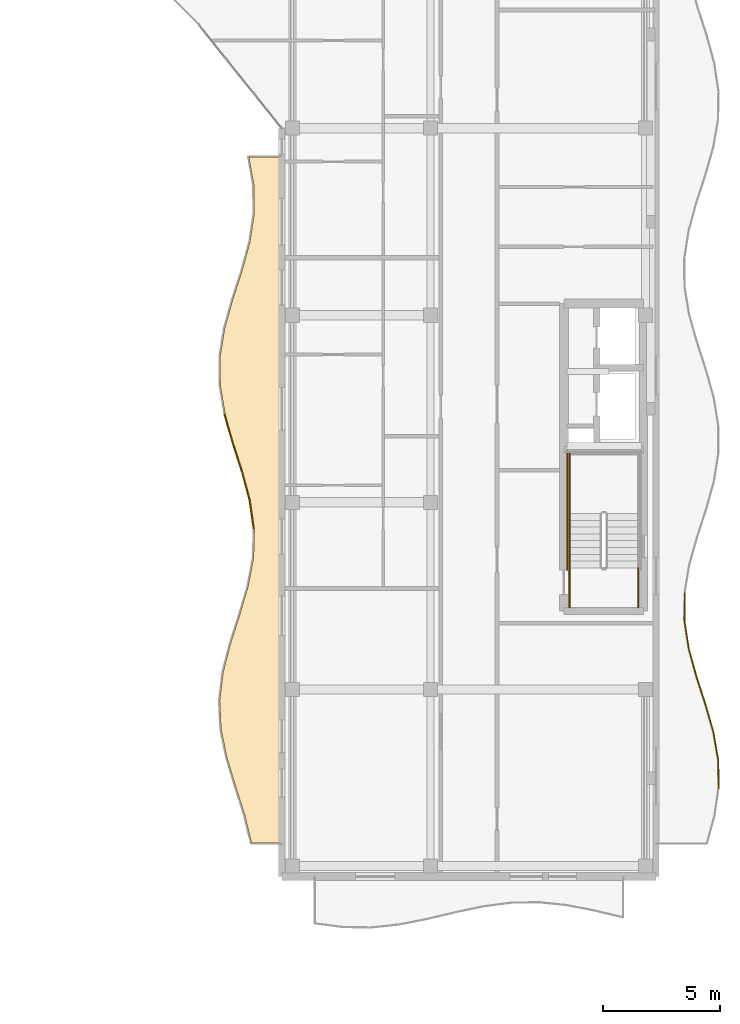
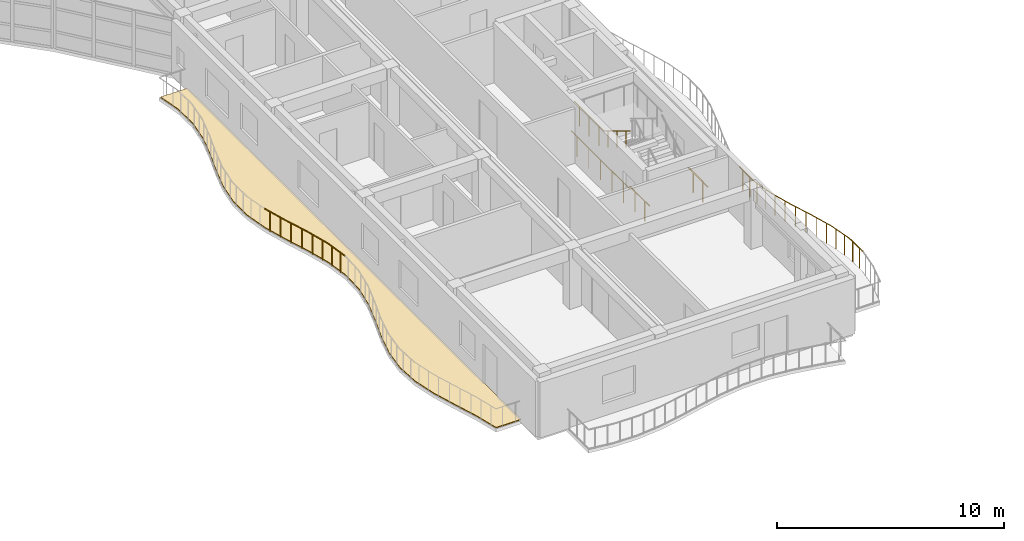
# One storey, part 74 of 79: 16 railings, 1 covering.
"""IFC4 building model written with IfcOpenShell, lengths in metres."""

from ifc_helpers import new_model, si_unit, direction, frame, origin, origin_2d, place, context, subcontext, project, spatial, polyline, circle, outline, extrude, material, layer, layer_set, type_object, element, save


model = new_model("IFC4")

# Units and contexts
model_context = context("Model", 3, precision=1e-05, world=origin(), true_north=direction((0.0, 1.0)))
body_context = subcontext(model_context, "Body", "Model", "MODEL_VIEW")
ifc_project = project(units=[si_unit("LENGTHUNIT", "METRE"), si_unit("AREAUNIT", "SQUARE_METRE"), si_unit("VOLUMEUNIT", "CUBIC_METRE"), si_unit("PLANEANGLEUNIT", "RADIAN"), si_unit("MASSUNIT", "GRAM", prefix="KILO")], contexts=[model_context])

# Site, building, storey
site_placement = place(None, origin())
site = spatial("IfcSite", under=ifc_project, at=site_placement, CompositionType="ELEMENT")
building_placement = place(site_placement, origin())
building = spatial("IfcBuilding", under=site, at=building_placement, Name="Keldmere Railside Commons", CompositionType="ELEMENT")
storey_placement = place(building_placement, frame((0.0, 0.0, 10.56005859375)))
storey = spatial("IfcBuildingStorey", under=building, at=storey_placement, Name="L03", CompositionType="ELEMENT", Elevation=10.56005859375)

# Railings
ifc_material_1 = material(Name="Steel F-24 (S235)", Category="steel")
railing_type_1 = type_object("IfcRailingType", Name="Balcony & Terrace Steel Balustrade 1100", PredefinedType="BALUSTRADE", material=ifc_material_1)
railing_1_placement = place(storey_placement, frame((166.787353515625, 70.875, 0.0)))
element("IfcRailing", 1, at=railing_1_placement, inside=storey, type_object=railing_type_1, Name="GR-1 GRD-L03-3465", PredefinedType="BALUSTRADE", context=body_context, shape_type="SweptSolid", body=[
    extrude(circle(Radius=0.02392578125, at=origin_2d()), frame((0.0, 0.0, 1.076171875), z_axis=(-0.139708336144, 0.990192698828, 0.0), x_axis=(-0.990192698828, -0.139708336144, 0.0)), (0.0, 0.0, 1.0), 1.2373046875),
    extrude(circle(Radius=0.02099609375, at=origin_2d()), frame((-0.043212890625, 0.30615234375, 0.0)), (0.0, 0.0, 1.0), 1.048095703125),
    extrude(circle(Radius=0.02099609375, at=origin_2d()), frame((-0.129638671875, 0.9189453125, 0.0)), (0.0, 0.0, 1.0), 1.048095703125),
])
railing_2_placement = place(storey_placement, frame((166.614501953125, 72.10009765625, 0.0)))
element("IfcRailing", 2, at=railing_2_placement, inside=storey, type_object=railing_type_1, Name="GR-1 GRD-L03-3466", PredefinedType="BALUSTRADE", context=body_context, shape_type="SweptSolid", body=[
    extrude(circle(Radius=0.02392578125, at=origin_2d()), frame((0.0, 0.0, 1.076171875), z_axis=(-0.260380641407, 0.9655060443, 0.0), x_axis=(-0.9655060443, -0.260380641407, 0.0)), (0.0, 0.0, 1.0), 1.2685546875),
    extrude(circle(Radius=0.02099609375, at=origin_2d()), frame((-0.08251953125, 0.30615234375, 0.0)), (0.0, 0.0, 1.0), 1.048095703125),
    extrude(circle(Radius=0.02099609375, at=origin_2d()), frame((-0.247802734375, 0.918701171875, 0.0)), (0.0, 0.0, 1.0), 1.048095703125),
])
railing_3_placement = place(storey_placement, frame((166.2841796875, 73.324951171875, 0.0)))
element("IfcRailing", 3, at=railing_3_placement, inside=storey, type_object=railing_type_1, Name="GR-1 GRD-L03-3467", PredefinedType="BALUSTRADE", context=body_context, shape_type="SweptSolid", body=[
    extrude(circle(Radius=0.02392578125, at=origin_2d()), frame((0.0, 0.0, 1.076171875), z_axis=(-0.307224411019, 0.951637095365, 0.0), x_axis=(-0.951637095365, -0.307224411019, 0.0)), (0.0, 0.0, 1.0), 1.287353515625),
    extrude(circle(Radius=0.02099609375, at=origin_2d()), frame((-0.098876953125, 0.30615234375, 0.0)), (0.0, 0.0, 1.0), 1.048095703125),
    extrude(circle(Radius=0.02099609375, at=origin_2d()), frame((-0.296630859375, 0.9189453125, 0.0)), (0.0, 0.0, 1.0), 1.048095703125),
])
railing_4_placement = place(storey_placement, frame((165.888671875, 74.550048828125, 0.0)))
element("IfcRailing", 4, at=railing_4_placement, inside=storey, type_object=railing_type_1, Name="GR-1 GRD-L03-3468", PredefinedType="BALUSTRADE", context=body_context, shape_type="SweptSolid", body=[
    extrude(circle(Radius=0.02392578125, at=origin_2d()), frame((0.0, 0.0, 1.076171875), z_axis=(-0.275176663621, 0.961393677844, 0.0), x_axis=(-0.961393677844, -0.275176663621, 0.0)), (0.0, 0.0, 1.0), 1.27392578125),
    extrude(circle(Radius=0.02099609375, at=origin_2d()), frame((-0.087646484375, 0.30615234375, 0.0)), (0.0, 0.0, 1.0), 1.048095703125),
    extrude(circle(Radius=0.02099609375, at=origin_2d()), frame((-0.262939453125, 0.918701171875, 0.0)), (0.0, 0.0, 1.0), 1.048095703125),
])
railing_5_placement = place(storey_placement, frame((186.682861328125, 59.783203125, 0.0)))
element("IfcRailing", 5, at=railing_5_placement, inside=storey, type_object=railing_type_1, Name="GR-1 GRD-L03-3482", PredefinedType="BALUSTRADE", context=body_context, shape_type="SweptSolid", body=[
    extrude(circle(Radius=0.02392578125, at=origin_2d()), frame((0.0, 0.0, 1.076171875), z_axis=(-0.014746450449, 0.999891265188, 0.0), x_axis=(-0.999891265188, -0.014746450449, 0.0)), (0.0, 0.0, 1.0), 1.192138671875),
    extrude(circle(Radius=0.02099609375, at=origin_2d()), frame((-0.00439453125, 0.2978515625, 0.0)), (0.0, 0.0, 1.0), 1.048095703125),
    extrude(circle(Radius=0.02099609375, at=origin_2d()), frame((-0.01318359375, 0.89404296875, 0.0)), (0.0, 0.0, 1.0), 1.048095703125),
])
railing_6_placement = place(storey_placement, frame((186.665283203125, 60.97509765625, 0.0)))
element("IfcRailing", 6, at=railing_6_placement, inside=storey, type_object=railing_type_1, Name="GR-1 GRD-L03-3483", PredefinedType="BALUSTRADE", context=body_context, shape_type="SweptSolid", body=[
    extrude(circle(Radius=0.02392578125, at=origin_2d()), frame((0.0, 0.0, 1.076171875), z_axis=(-0.17097485304, 0.985275392785, 0.0), x_axis=(-0.985275392785, -0.17097485304, 0.0)), (0.0, 0.0, 1.0), 1.20947265625),
    extrude(circle(Radius=0.02099609375, at=origin_2d()), frame((-0.0517578125, 0.2978515625, 0.0)), (0.0, 0.0, 1.0), 1.048095703125),
    extrude(circle(Radius=0.02099609375, at=origin_2d()), frame((-0.155029296875, 0.893798828125, 0.0)), (0.0, 0.0, 1.0), 1.048095703125),
])
railing_7_placement = place(storey_placement, frame((186.45849609375, 62.166748046875, 0.0)))
element("IfcRailing", 7, at=railing_7_placement, inside=storey, type_object=railing_type_1, Name="GR-1 GRD-L03-3484", PredefinedType="BALUSTRADE", context=body_context, shape_type="SweptSolid", body=[
    extrude(circle(Radius=0.02392578125, at=origin_2d()), frame((0.0, 0.0, 1.076171875), z_axis=(-0.275345385381, 0.961345369131, 0.0), x_axis=(-0.961345369131, -0.275345385381, 0.0)), (0.0, 0.0, 1.0), 1.239501953125),
    extrude(circle(Radius=0.02099609375, at=origin_2d()), frame((-0.08544921875, 0.2978515625, 0.0)), (0.0, 0.0, 1.0), 1.048095703125),
    extrude(circle(Radius=0.02099609375, at=origin_2d()), frame((-0.255859375, 0.893798828125, 0.0)), (0.0, 0.0, 1.0), 1.048095703125),
])
railing_8_placement = place(storey_placement, frame((186.1171875, 63.3583984375, 0.0)))
element("IfcRailing", 8, at=railing_8_placement, inside=storey, type_object=railing_type_1, Name="GR-1 GRD-L03-3485", PredefinedType="BALUSTRADE", context=body_context, shape_type="SweptSolid", body=[
    extrude(circle(Radius=0.02392578125, at=origin_2d()), frame((0.0, 0.0, 1.076171875), z_axis=(-0.307617856701, 0.951509986411, 0.0), x_axis=(-0.951509986411, -0.307617856701, 0.0)), (0.0, 0.0, 1.0), 1.25244140625),
    extrude(circle(Radius=0.02099609375, at=origin_2d()), frame((-0.09619140625, 0.2978515625, 0.0)), (0.0, 0.0, 1.0), 1.048095703125),
    extrude(circle(Radius=0.02099609375, at=origin_2d()), frame((-0.2890625, 0.893798828125, 0.0)), (0.0, 0.0, 1.0), 1.048095703125),
])
railing_9_placement = place(storey_placement, frame((185.73193359375, 64.550048828125, 0.0)))
element("IfcRailing", 9, at=railing_9_placement, inside=storey, type_object=railing_type_1, Name="GR-1 GRD-L03-3486", PredefinedType="BALUSTRADE", context=body_context, shape_type="SweptSolid", body=[
    extrude(circle(Radius=0.02392578125, at=origin_2d()), frame((0.0, 0.0, 1.076171875), z_axis=(-0.265105977142, 0.964219280498, 0.0), x_axis=(-0.964219280498, -0.265105977142, 0.0)), (0.0, 0.0, 1.0), 1.23583984375),
    extrude(circle(Radius=0.02099609375, at=origin_2d()), frame((-0.08203125, 0.2978515625, 0.0)), (0.0, 0.0, 1.0), 1.048095703125),
    extrude(circle(Radius=0.02099609375, at=origin_2d()), frame((-0.24560546875, 0.893798828125, 0.0)), (0.0, 0.0, 1.0), 1.048095703125),
])
railing_10_placement = place(storey_placement, frame((185.404296875, 65.74169921875, 0.0)))
element("IfcRailing", 10, at=railing_10_placement, inside=storey, type_object=railing_type_1, Name="GR-1 GRD-L03-3487", PredefinedType="BALUSTRADE", context=body_context, shape_type="SweptSolid", body=[
    extrude(circle(Radius=0.02392578125, at=origin_2d()), frame((0.0, 0.0, 1.076171875), z_axis=(-0.152270201697, 0.988338902237, 0.0), x_axis=(-0.988338902237, -0.152270201697, 0.0)), (0.0, 0.0, 1.0), 1.205810546875),
    extrude(circle(Radius=0.02099609375, at=origin_2d()), frame((-0.0458984375, 0.2978515625, 0.0)), (0.0, 0.0, 1.0), 1.048095703125),
    extrude(circle(Radius=0.02099609375, at=origin_2d()), frame((-0.1376953125, 0.893798828125, 0.0)), (0.0, 0.0, 1.0), 1.048095703125),
])
railing_11_placement = place(storey_placement, frame((185.220703125, 66.933349609375, 0.0)))
element("IfcRailing", 11, at=railing_11_placement, inside=storey, type_object=railing_type_1, Name="GR-1 GRD-L03-3488", PredefinedType="BALUSTRADE", context=body_context, shape_type="SweptSolid", body=[
    extrude(circle(Radius=0.02392578125, at=origin_2d()), frame((0.0, 0.0, 1.076171875), z_axis=(0.007785053974, 0.999969696008, 0.0), x_axis=(-0.999969696008, 0.007785053974, 0.0)), (0.0, 0.0, 1.0), 1.191650390625),
    extrude(circle(Radius=0.02099609375, at=origin_2d()), frame((0.00244140625, 0.2978515625, 0.0)), (0.0, 0.0, 1.0), 1.048095703125),
    extrude(circle(Radius=0.02099609375, at=origin_2d()), frame((0.0068359375, 0.893798828125, 0.0)), (0.0, 0.0, 1.0), 1.048095703125),
])
railing_type_2 = type_object("IfcRailingType", Name="Stair Well Steel Guardrail 1100", PredefinedType="BALUSTRADE", material=ifc_material_1)
railing_12_placement = place(storey_placement, frame((180.300048828125, 71.52001953125, 1.599853515625)))
element("IfcRailing", 12, at=railing_12_placement, inside=storey, type_object=railing_type_2, Name="L03 ST-A1 stair guard 4", PredefinedType="BALUSTRADE", context=body_context, shape_type="SweptSolid", body=[
    extrude(circle(Radius=0.02392578125, at=origin_2d()), frame((0.0, 0.0, 1.076171875), z_axis=(0.0, 1.0, 0.0), x_axis=(-1.0, 0.0, 0.0)), (0.0, 0.0, 1.0), 2.580078125),
    extrude(circle(Radius=0.02099609375, at=origin_2d()), frame((0.0, 0.429931640625, 0.0)), (0.0, 0.0, 1.0), 1.048095703125),
    extrude(circle(Radius=0.02099609375, at=origin_2d()), frame((0.0, 1.2900390625, 0.0)), (0.0, 0.0, 1.0), 1.048095703125),
    extrude(circle(Radius=0.02099609375, at=origin_2d()), frame((0.0, 2.150146484375, 0.0)), (0.0, 0.0, 1.0), 1.048095703125),
])
for number, where, name in (
    (13, (183.25, 67.5, 0.0), "L03 ST-A1 stair guard 8"),
    (14, (180.300048828125, 67.5, 0.0), "L03 ST-A1 stair guard 9"),
):
    element("IfcRailing", number, at=place(storey_placement, frame(where)), inside=storey, type_object=railing_type_2, Name=name, PredefinedType="BALUSTRADE", context=body_context, shape_type="SweptSolid", body=[
        extrude(circle(Radius=0.02392578125, at=origin_2d()), frame((0.0, 0.0, 1.076171875), z_axis=(0.0, 1.0, 0.0), x_axis=(-1.0, 0.0, 0.0)), (0.0, 0.0, 1.0), 1.699951171875),
        extrude(circle(Radius=0.02099609375, at=origin_2d()), frame((0.0, 0.425048828125, 0.0)), (0.0, 0.0, 1.0), 1.048095703125),
        extrude(circle(Radius=0.02099609375, at=origin_2d()), frame((0.0, 1.27490234375, 0.0)), (0.0, 0.0, 1.0), 1.048095703125),
    ])
railing_13_placement = place(storey_placement, frame((180.199951171875, 69.10009765625, 0.0)))
element("IfcRailing", 15, at=railing_13_placement, inside=storey, type_object=railing_type_2, Name="L03 ST-A1 stair guard 11", PredefinedType="BALUSTRADE", context=body_context, shape_type="SweptSolid", body=[
    extrude(circle(Radius=0.02392578125, at=origin_2d()), frame((0.0, 0.0, 1.076171875), z_axis=(0.0, 1.0, 0.0), x_axis=(-1.0, 0.0, 0.0)), (0.0, 0.0, 1.0), 5.099853515625),
    extrude(circle(Radius=0.02099609375, at=origin_2d()), frame((0.0, 0.510009765625, 0.0)), (0.0, 0.0, 1.0), 1.048095703125),
    extrude(circle(Radius=0.02099609375, at=origin_2d()), frame((0.0, 1.530029296875, 0.0)), (0.0, 0.0, 1.0), 1.048095703125),
    extrude(circle(Radius=0.02099609375, at=origin_2d()), frame((0.0, 2.5498046875, 0.0)), (0.0, 0.0, 1.0), 1.048095703125),
    extrude(circle(Radius=0.02099609375, at=origin_2d()), frame((0.0, 3.56982421875, 0.0)), (0.0, 0.0, 1.0), 1.048095703125),
    extrude(circle(Radius=0.02099609375, at=origin_2d()), frame((0.0, 4.58984375, 0.0)), (0.0, 0.0, 1.0), 1.048095703125),
])
railing_type_3 = type_object("IfcRailingType", Name="Wall-Mounted Tubular Steel Handrail 900", PredefinedType="HANDRAIL", material=ifc_material_1)
railing_14_placement = place(storey_placement, frame((180.300048828125, 71.52001953125, 1.77783203125)))
element("IfcRailing", 16, at=railing_14_placement, inside=storey, type_object=railing_type_3, Name="L03 ST-A1 stair handrail 2", PredefinedType="HANDRAIL", context=body_context, shape_type="SweptSolid", body=[
    extrude(circle(Radius=0.02392578125, at=origin_2d()), frame((0.0, 0.0, 0.8759765625), z_axis=(0.0, -0.852578041948, 0.522599925744), x_axis=(1.0, 0.0, 0.0)), (0.0, 0.0, 1.0), 2.72119140625),
    extrude(circle(Radius=0.02099609375, at=origin_2d()), frame((0.0, -0.38671875, 0.237060546875)), (0.0, 0.0, 1.0), 0.847900390625),
    extrude(circle(Radius=0.02099609375, at=origin_2d()), frame((0.0, -1.16015625, 0.7109375)), (0.0, 0.0, 1.0), 0.847900390625),
    extrude(circle(Radius=0.02099609375, at=origin_2d()), frame((0.0, -1.933349609375, 1.18505859375)), (0.0, 0.0, 1.0), 0.847900390625),
])

# Covering
ifc_material_2 = material(Name="White Precast Concrete C35/45", Category="concrete")
ifc_layer = layer(ifc_material_2, 0.044921875, Name="White Architectural Balcony Ribbon Cladding 45")
ifc_layer_set = layer_set([ifc_layer], Name="White Precast Concrete C35/45")
covering_type = type_object("IfcCoveringType", Name="White Architectural Balcony Ribbon Cladding 45", PredefinedType="FLOORING", material=ifc_layer_set)
covering_placement = place(storey_placement, origin())
element("IfcCovering", 17, at=covering_placement, inside=storey, type_object=covering_type, Name="CLG-WB A L03 CW White Balcony Ribbon", PredefinedType="FLOORING", context=body_context, shape_type="SweptSolid", body=[
    extrude(outline(polyline([(167.9599609375, 86.760009765625), (166.593017578125, 86.760009765625), (166.802490234375, 85.58203125), (166.802978515625, 85.578857421875), (166.802978515625, 85.57568359375), (166.822021484375, 84.3505859375), (166.822021484375, 84.347412109375), (166.821533203125, 84.343994140625), (166.63623046875, 83.118896484375), (166.63525390625, 83.114501953125), (166.29736328125, 81.889404296875), (166.296875, 81.8876953125), (165.901123046875, 80.663330078125), (165.55810546875, 79.44140625), (165.36328125, 78.221923828125), (165.370361328125, 77.00341796875), (165.5771484375, 75.783935546875), (165.927001953125, 74.561767578125), (166.322509765625, 73.33740234375), (166.322998046875, 73.33544921875), (166.6533203125, 72.1103515625), (166.654296875, 72.105712890625), (166.826904296875, 70.880615234375), (166.8271484375, 70.877197265625), (166.827392578125, 70.873779296875), (166.79443359375, 69.64892578125), (166.794189453125, 69.645751953125), (166.793701171875, 69.642578125), (166.564208984375, 68.41748046875), (166.5634765625, 68.413818359375), (166.201416015625, 67.188720703125), (166.201171875, 67.187744140625), (165.80810546875, 65.9638671875), (165.49365234375, 64.74267578125), (165.345458984375, 63.5234375), (165.40380859375, 62.304931640625), (165.65283203125, 61.084716796875), (166.02392578125, 59.86181640625), (166.413330078125, 58.63720703125), (166.414306640625, 58.634521484375), (166.70556640625, 57.43994140625), (167.9599609375, 57.43994140625), (167.9599609375, 86.760009765625)])), origin(), (0.0, 0.0, 1.0), 0.044921875),
])

save(model, "model.ifc")
